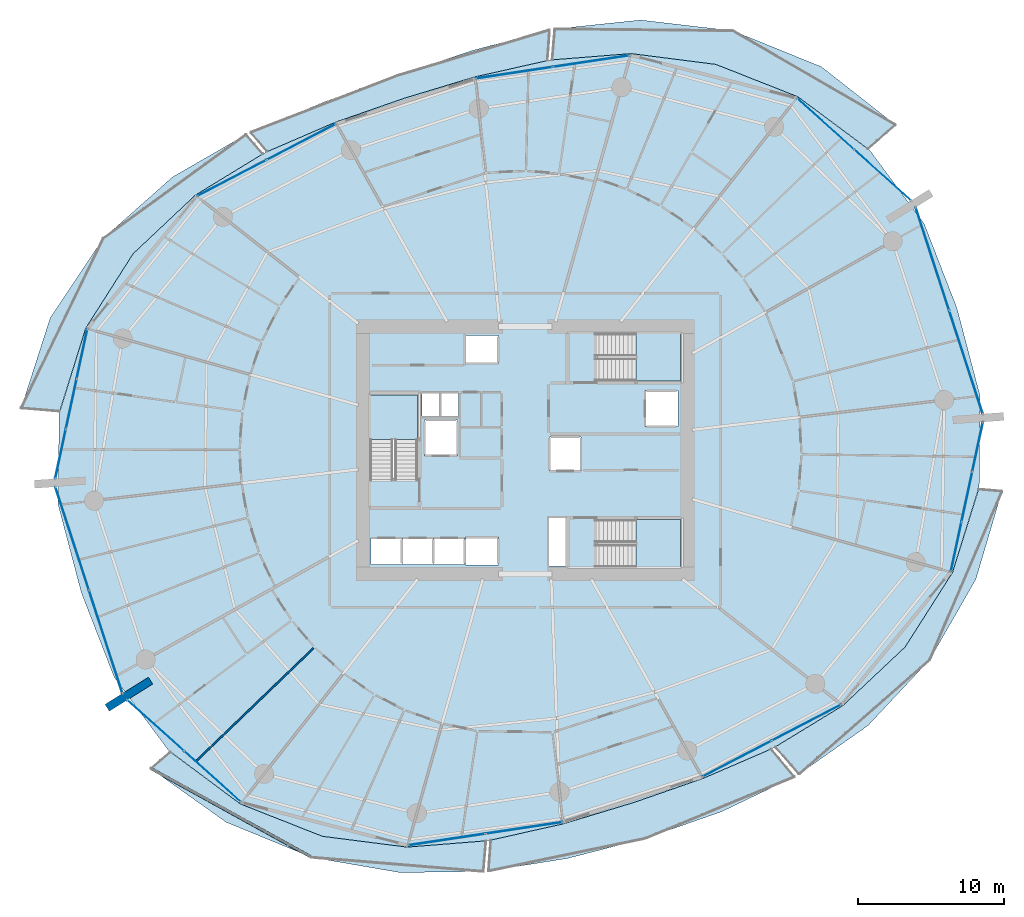
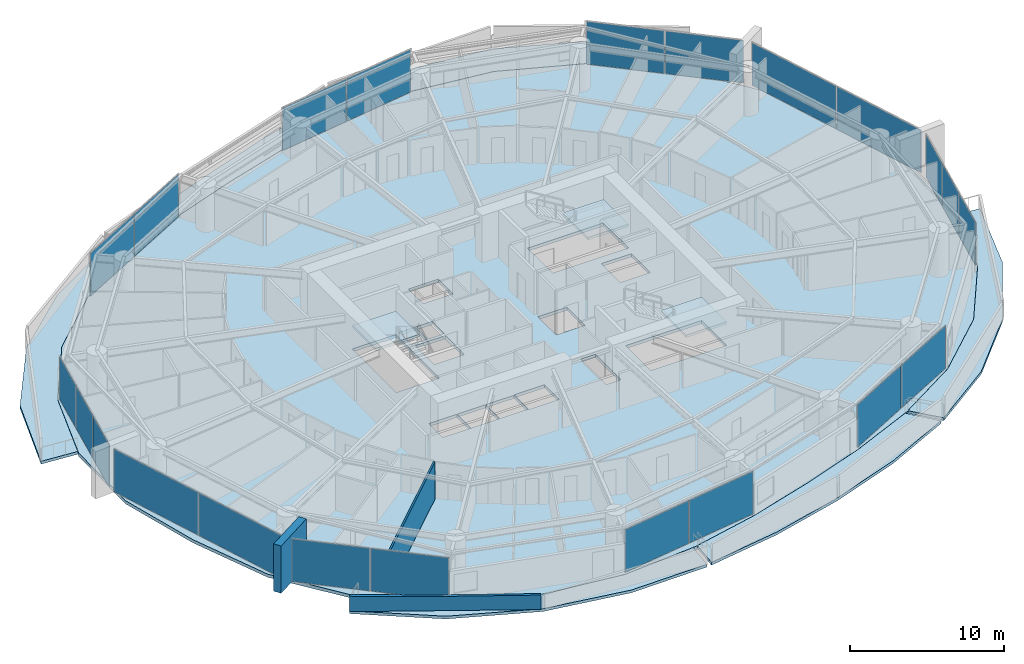
# One storey, part 18 of 31: 22 plates, 10 slabs, 3 walls, 13 elements without a shape of their own.
"""IFC4 building model written with IfcOpenShell, lengths in metres."""

from ifc_helpers import new_model, si_unit, direction, frame, frame_2d, origin, origin_2d, place, context, subcontext, project, spatial, polyline, rectangle, outline, extrude, material, layer, layer_set, type_object, element, aggregate, save


model = new_model("IFC4")

# Units and contexts
model_context = context("Model", 3, precision=1e-05, world=origin(), true_north=direction((0.0, 1.0)))
body_context = subcontext(model_context, "Body", "Model", "MODEL_VIEW")
ifc_project = project(units=[si_unit("LENGTHUNIT", "METRE"), si_unit("AREAUNIT", "SQUARE_METRE"), si_unit("VOLUMEUNIT", "CUBIC_METRE"), si_unit("PLANEANGLEUNIT", "RADIAN"), si_unit("MASSUNIT", "GRAM", prefix="KILO")], contexts=[model_context])

# Site, building, storey
site_placement = place(None, origin())
site = spatial("IfcSite", under=ifc_project, at=site_placement, CompositionType="ELEMENT")
building_placement = place(site_placement, origin())
building = spatial("IfcBuilding", under=site, at=building_placement, Name="Kazma Halo Residences", CompositionType="ELEMENT")
storey_placement = place(building_placement, frame((0.0, 0.0, 41.39990234375)))
storey = spatial("IfcBuildingStorey", under=building, at=storey_placement, Name="L09", CompositionType="ELEMENT", Elevation=41.39990234375)

# Curtain wall, plates
ifc_material_1 = material(Name="Aluminium AW-6063 T6 and Triple-Silver Low-E Glass", Category="aluminium")
ifc_layer_1 = layer(ifc_material_1, 0.159912109375)
ifc_layer_set_1 = layer_set([ifc_layer_1], Name="Aluminium AW-6063 T6 and Triple-Silver Low-E Glass")
curtain_wall_type = type_object("IfcCurtainWallType", Name="CW-SYS-2", PredefinedType="NOTDEFINED", material=ifc_layer_set_1)
curtain_wall_1_placement = place(storey_placement, origin())
curtain_wall_1 = element("IfcCurtainWall", 1, at=curtain_wall_1_placement, inside=storey, type_object=curtain_wall_type, Name="L09 unitised curtain wall B01", PredefinedType="NOTDEFINED")
ifc_material_2 = material(Name="Clear Triple-Silver Low-E Glass IGU", Category="glass")
ifc_layer_2 = layer(ifc_material_2, 0.028076171875)
ifc_layer_set_2 = layer_set([ifc_layer_2], Name="Clear Triple-Silver Low-E Glass IGU")
plate_type = type_object("IfcPlateType", Name="CW-SYS-2-PNL", PredefinedType="CURTAIN_PANEL", material=ifc_layer_set_2)
plate_1_placement = place(storey_placement, frame((72.876953125, 60.841064453125, 0.06005859375), z_axis=(0.0, 0.0, 1.0), x_axis=(-0.744321506993, 0.667821453854, 0.0)))
plate_1 = element("IfcPlate", 2, at=plate_1_placement, type_object=plate_type, Name="CWS-2 panel 1.1", PredefinedType="CURTAIN_PANEL", context=body_context, shape_type="SweptSolid", body=[
    extrude(rectangle(XDim=5.1787109375, YDim=0.028076171875, at=origin_2d()), origin(), (0.0, 0.0, 1.0), 3.3798828125),
])
plate_2_placement = place(storey_placement, frame((68.977783203125, 64.33935546875, 0.06005859375), z_axis=(0.0, 0.0, 1.0), x_axis=(-0.744321506993, 0.667821453854, 0.0)))
plate_2 = element("IfcPlate", 3, at=plate_2_placement, type_object=plate_type, Name="CWS-2 panel 2.1", PredefinedType="CURTAIN_PANEL", context=body_context, shape_type="SweptSolid", body=[
    extrude(rectangle(XDim=5.1787109375, YDim=0.028076171875, at=origin_2d()), origin(), (0.0, 0.0, 1.0), 3.3798828125),
])
aggregate(curtain_wall_1, [plate_1, plate_2])

curtain_wall_2_placement = place(storey_placement, origin())
curtain_wall_2 = element("IfcCurtainWall", 4, at=curtain_wall_2_placement, inside=storey, type_object=curtain_wall_type, Name="L09 unitised curtain wall B03", PredefinedType="NOTDEFINED")
plate_3_placement = place(storey_placement, frame((52.952392578125, 68.64013671875, 0.06005859375), z_axis=(0.0, 0.0, 1.0), x_axis=(-0.988888777994, -0.148657272805, 0.0)))
plate_3 = element("IfcPlate", 5, at=plate_3_placement, type_object=plate_type, Name="CWS-2 panel 1.1", PredefinedType="CURTAIN_PANEL", context=body_context, shape_type="SweptSolid", body=[
    extrude(rectangle(XDim=5.288818359375, YDim=0.028076171875, at=origin_2d()), origin(), (0.0, 0.0, 1.0), 3.3798828125),
])
plate_4_placement = place(storey_placement, frame((47.662841796875, 67.844970703125, 0.06005859375), z_axis=(0.0, 0.0, 1.0), x_axis=(-0.988888777994, -0.148657272805, 0.0)))
plate_4 = element("IfcPlate", 6, at=plate_4_placement, type_object=plate_type, Name="CWS-2 panel 2.1", PredefinedType="CURTAIN_PANEL", context=body_context, shape_type="SweptSolid", body=[
    extrude(rectangle(XDim=5.288818359375, YDim=0.028076171875, at=origin_2d()), origin(), (0.0, 0.0, 1.0), 3.3798828125),
])
aggregate(curtain_wall_2, [plate_3, plate_4])

curtain_wall_3_placement = place(storey_placement, origin())
curtain_wall_3 = element("IfcCurtainWall", 7, at=curtain_wall_3_placement, inside=storey, type_object=curtain_wall_type, Name="L09 unitised curtain wall B05", PredefinedType="NOTDEFINED")
plate_5_placement = place(storey_placement, frame((33.081298828125, 63.107177734375, 0.06005859375), z_axis=(0.0, 0.0, 1.0), x_axis=(-0.887402258584, -0.460995912628, 0.0)))
plate_5 = element("IfcPlate", 8, at=plate_5_placement, type_object=plate_type, Name="CWS-2 panel 1.1", PredefinedType="CURTAIN_PANEL", context=body_context, shape_type="SweptSolid", body=[
    extrude(rectangle(XDim=5.288818359375, YDim=0.028076171875, at=origin_2d()), origin(), (0.0, 0.0, 1.0), 3.3798828125),
])
plate_6_placement = place(storey_placement, frame((28.334716796875, 60.641357421875, 0.06005859375), z_axis=(0.0, 0.0, 1.0), x_axis=(-0.887402258584, -0.460995912628, 0.0)))
plate_6 = element("IfcPlate", 9, at=plate_6_placement, type_object=plate_type, Name="CWS-2 panel 2.1", PredefinedType="CURTAIN_PANEL", context=body_context, shape_type="SweptSolid", body=[
    extrude(rectangle(XDim=5.288818359375, YDim=0.028076171875, at=origin_2d()), origin(), (0.0, 0.0, 1.0), 3.3798828125),
])
aggregate(curtain_wall_3, [plate_5, plate_6])

curtain_wall_4_placement = place(storey_placement, origin())
curtain_wall_4 = element("IfcCurtainWall", 10, at=curtain_wall_4_placement, inside=storey, type_object=curtain_wall_type, Name="L09 unitised curtain wall B07", PredefinedType="NOTDEFINED")
plate_7_placement = place(storey_placement, frame((18.08203125, 48.60107421875, 0.06005859375), z_axis=(0.0, 0.0, 1.0), x_axis=(-0.209637321406, -0.977779215096, 0.0)))
plate_7 = element("IfcPlate", 11, at=plate_7_placement, type_object=plate_type, Name="CWS-2 panel 1.1", PredefinedType="CURTAIN_PANEL", context=body_context, shape_type="SweptSolid", body=[
    extrude(rectangle(XDim=3.42236328125, YDim=0.028076171875, at=origin_2d()), origin(), (0.0, 0.0, 1.0), 3.3798828125),
])
plate_8_placement = place(storey_placement, frame((17.348876953125, 45.181396484375, 0.06005859375), z_axis=(0.0, 0.0, 1.0), x_axis=(-0.209637321406, -0.977779215096, 0.0)))
plate_8 = element("IfcPlate", 12, at=plate_8_placement, type_object=plate_type, Name="CWS-2 panel 2.1", PredefinedType="CURTAIN_PANEL", context=body_context, shape_type="SweptSolid", body=[
    extrude(rectangle(XDim=3.452392578125, YDim=0.028076171875, at=origin_2d()), origin(), (0.0, 0.0, 1.0), 3.3798828125),
])
plate_9_placement = place(storey_placement, frame((16.61572265625, 41.76171875, 0.06005859375), z_axis=(0.0, 0.0, 1.0), x_axis=(-0.209637321406, -0.977779215096, 0.0)))
plate_9 = element("IfcPlate", 13, at=plate_9_placement, type_object=plate_type, Name="CWS-2 panel 3.1", PredefinedType="CURTAIN_PANEL", context=body_context, shape_type="SweptSolid", body=[
    extrude(rectangle(XDim=3.42236328125, YDim=0.028076171875, at=origin_2d()), origin(), (0.0, 0.0, 1.0), 3.3798828125),
])
aggregate(curtain_wall_4, [plate_7, plate_8, plate_9])

curtain_wall_5_placement = place(storey_placement, origin())
curtain_wall_5 = element("IfcCurtainWall", 14, at=curtain_wall_5_placement, inside=storey, type_object=curtain_wall_type, Name="L09 unitised curtain wall B08", PredefinedType="NOTDEFINED")
plate_10_placement = place(storey_placement, frame((17.409912109375, 35.96728515625, 0.06005859375), z_axis=(0.0, 0.0, 1.0), x_axis=(0.309016970539, -0.95105652404, 0.0)))
plate_10 = element("IfcPlate", 15, at=plate_10_placement, type_object=plate_type, Name="CWS-2 panel 1.1", PredefinedType="CURTAIN_PANEL", context=body_context, shape_type="SweptSolid", body=[
    extrude(rectangle(XDim=7.370849609375, YDim=0.028076171875, at=origin_2d()), origin(), (0.0, 0.0, 1.0), 3.3798828125),
])
plate_11_placement = place(storey_placement, frame((19.7060546875, 28.900146484375, 0.06005859375), z_axis=(0.0, 0.0, 1.0), x_axis=(0.309016970539, -0.95105652404, 0.0)))
plate_11 = element("IfcPlate", 16, at=plate_11_placement, type_object=plate_type, Name="CWS-2 panel 2.1", PredefinedType="CURTAIN_PANEL", context=body_context, shape_type="SweptSolid", body=[
    extrude(rectangle(XDim=7.370849609375, YDim=0.028076171875, at=origin_2d()), origin(), (0.0, 0.0, 1.0), 3.3798828125),
])
aggregate(curtain_wall_5, [plate_10, plate_11])

curtain_wall_6_placement = place(storey_placement, origin())
curtain_wall_6 = element("IfcCurtainWall", 17, at=curtain_wall_6_placement, inside=storey, type_object=curtain_wall_type, Name="L09 unitised curtain wall B09", PredefinedType="NOTDEFINED")
plate_12_placement = place(storey_placement, frame((23.123046875, 23.158935546875, 0.06005859375), z_axis=(0.0, 0.0, 1.0), x_axis=(0.744321506993, -0.667821453854, 0.0)))
plate_12 = element("IfcPlate", 18, at=plate_12_placement, type_object=plate_type, Name="CWS-2 panel 1.1", PredefinedType="CURTAIN_PANEL", context=body_context, shape_type="SweptSolid", body=[
    extrude(rectangle(XDim=5.1787109375, YDim=0.028076171875, at=origin_2d()), origin(), (0.0, 0.0, 1.0), 3.3798828125),
])
plate_13_placement = place(storey_placement, frame((27.022216796875, 19.66064453125, 0.06005859375), z_axis=(0.0, 0.0, 1.0), x_axis=(0.744321506993, -0.667821453854, 0.0)))
plate_13 = element("IfcPlate", 19, at=plate_13_placement, type_object=plate_type, Name="CWS-2 panel 2.1", PredefinedType="CURTAIN_PANEL", context=body_context, shape_type="SweptSolid", body=[
    extrude(rectangle(XDim=5.1787109375, YDim=0.028076171875, at=origin_2d()), origin(), (0.0, 0.0, 1.0), 3.3798828125),
])
aggregate(curtain_wall_6, [plate_12, plate_13])

curtain_wall_7_placement = place(storey_placement, origin())
curtain_wall_7 = element("IfcCurtainWall", 20, at=curtain_wall_7_placement, inside=storey, type_object=curtain_wall_type, Name="L09 unitised curtain wall B11", PredefinedType="NOTDEFINED")
plate_14_placement = place(storey_placement, frame((43.047607421875, 15.35986328125, 0.06005859375), z_axis=(0.0, 0.0, 1.0), x_axis=(0.988888777994, 0.148657272805, 0.0)))
plate_14 = element("IfcPlate", 21, at=plate_14_placement, type_object=plate_type, Name="CWS-2 panel 1.1", PredefinedType="CURTAIN_PANEL", context=body_context, shape_type="SweptSolid", body=[
    extrude(rectangle(XDim=5.288818359375, YDim=0.028076171875, at=origin_2d()), origin(), (0.0, 0.0, 1.0), 3.3798828125),
])
plate_15_placement = place(storey_placement, frame((48.337158203125, 16.155029296875, 0.06005859375), z_axis=(0.0, 0.0, 1.0), x_axis=(0.988888777994, 0.148657272805, 0.0)))
plate_15 = element("IfcPlate", 22, at=plate_15_placement, type_object=plate_type, Name="CWS-2 panel 2.1", PredefinedType="CURTAIN_PANEL", context=body_context, shape_type="SweptSolid", body=[
    extrude(rectangle(XDim=5.288818359375, YDim=0.028076171875, at=origin_2d()), origin(), (0.0, 0.0, 1.0), 3.3798828125),
])
aggregate(curtain_wall_7, [plate_14, plate_15])

curtain_wall_8_placement = place(storey_placement, origin())
curtain_wall_8 = element("IfcCurtainWall", 23, at=curtain_wall_8_placement, inside=storey, type_object=curtain_wall_type, Name="L09 unitised curtain wall B13", PredefinedType="NOTDEFINED")
plate_16_placement = place(storey_placement, frame((62.918701171875, 20.892822265625, 0.06005859375), z_axis=(0.0, 0.0, 1.0), x_axis=(0.887402258584, 0.460995912628, 0.0)))
plate_16 = element("IfcPlate", 24, at=plate_16_placement, type_object=plate_type, Name="CWS-2 panel 1.1", PredefinedType="CURTAIN_PANEL", context=body_context, shape_type="SweptSolid", body=[
    extrude(rectangle(XDim=5.288818359375, YDim=0.028076171875, at=origin_2d()), origin(), (0.0, 0.0, 1.0), 3.3798828125),
])
plate_17_placement = place(storey_placement, frame((67.665283203125, 23.358642578125, 0.06005859375), z_axis=(0.0, 0.0, 1.0), x_axis=(0.887402258584, 0.460995912628, 0.0)))
plate_17 = element("IfcPlate", 25, at=plate_17_placement, type_object=plate_type, Name="CWS-2 panel 2.1", PredefinedType="CURTAIN_PANEL", context=body_context, shape_type="SweptSolid", body=[
    extrude(rectangle(XDim=5.288818359375, YDim=0.028076171875, at=origin_2d()), origin(), (0.0, 0.0, 1.0), 3.3798828125),
])
aggregate(curtain_wall_8, [plate_16, plate_17])

curtain_wall_9_placement = place(storey_placement, origin())
curtain_wall_9 = element("IfcCurtainWall", 26, at=curtain_wall_9_placement, inside=storey, type_object=curtain_wall_type, Name="L09 unitised curtain wall B15", PredefinedType="NOTDEFINED")
plate_18_placement = place(storey_placement, frame((77.91796875, 35.39892578125, 0.06005859375), z_axis=(0.0, 0.0, 1.0), x_axis=(0.209637321406, 0.977779215096, 0.0)))
plate_18 = element("IfcPlate", 27, at=plate_18_placement, type_object=plate_type, Name="CWS-2 panel 1.1", PredefinedType="CURTAIN_PANEL", context=body_context, shape_type="SweptSolid", body=[
    extrude(rectangle(XDim=3.42236328125, YDim=0.028076171875, at=origin_2d()), origin(), (0.0, 0.0, 1.0), 3.3798828125),
])
plate_19_placement = place(storey_placement, frame((78.651123046875, 38.818603515625, 0.06005859375), z_axis=(0.0, 0.0, 1.0), x_axis=(0.209637321406, 0.977779215096, 0.0)))
plate_19 = element("IfcPlate", 28, at=plate_19_placement, type_object=plate_type, Name="CWS-2 panel 2.1", PredefinedType="CURTAIN_PANEL", context=body_context, shape_type="SweptSolid", body=[
    extrude(rectangle(XDim=3.452392578125, YDim=0.028076171875, at=origin_2d()), origin(), (0.0, 0.0, 1.0), 3.3798828125),
])
plate_20_placement = place(storey_placement, frame((79.38427734375, 42.23828125, 0.06005859375), z_axis=(0.0, 0.0, 1.0), x_axis=(0.209637321406, 0.977779215096, 0.0)))
plate_20 = element("IfcPlate", 29, at=plate_20_placement, type_object=plate_type, Name="CWS-2 panel 3.1", PredefinedType="CURTAIN_PANEL", context=body_context, shape_type="SweptSolid", body=[
    extrude(rectangle(XDim=3.42236328125, YDim=0.028076171875, at=origin_2d()), origin(), (0.0, 0.0, 1.0), 3.3798828125),
])
aggregate(curtain_wall_9, [plate_18, plate_19, plate_20])

curtain_wall_10_placement = place(storey_placement, origin())
curtain_wall_10 = element("IfcCurtainWall", 30, at=curtain_wall_10_placement, inside=storey, type_object=curtain_wall_type, Name="L09 unitised curtain wall B16", PredefinedType="NOTDEFINED")
plate_21_placement = place(storey_placement, frame((78.590087890625, 48.03271484375, 0.06005859375), z_axis=(0.0, 0.0, 1.0), x_axis=(-0.309016970539, 0.95105652404, 0.0)))
plate_21 = element("IfcPlate", 31, at=plate_21_placement, type_object=plate_type, Name="CWS-2 panel 1.1", PredefinedType="CURTAIN_PANEL", context=body_context, shape_type="SweptSolid", body=[
    extrude(rectangle(XDim=7.370849609375, YDim=0.028076171875, at=origin_2d()), origin(), (0.0, 0.0, 1.0), 3.3798828125),
])
plate_22_placement = place(storey_placement, frame((76.2939453125, 55.099853515625, 0.06005859375), z_axis=(0.0, 0.0, 1.0), x_axis=(-0.309016970539, 0.95105652404, 0.0)))
plate_22 = element("IfcPlate", 32, at=plate_22_placement, type_object=plate_type, Name="CWS-2 panel 2.1", PredefinedType="CURTAIN_PANEL", context=body_context, shape_type="SweptSolid", body=[
    extrude(rectangle(XDim=7.370849609375, YDim=0.028076171875, at=origin_2d()), origin(), (0.0, 0.0, 1.0), 3.3798828125),
])
aggregate(curtain_wall_10, [plate_21, plate_22])

# Slabs
ifc_material_3 = material(Name="White Concrete C50/60", Category="concrete")
ifc_layer_3 = layer(ifc_material_3, 0.219970703125)
ifc_layer_set_3 = layer_set([ifc_layer_3], Name="White Concrete C50/60")
slab_type_1 = type_object("IfcSlabType", Name="SLB-BAL-WAVE-210", PredefinedType="FLOOR", material=ifc_layer_set_3)
slab_1_placement = place(storey_placement, frame((0.0, 0.0, -0.219970703125)))
element("IfcSlab", 33, at=slab_1_placement, inside=storey, type_object=slab_type_1, Name="L09 NE cantilevered wave balcony slab", PredefinedType="FLOOR", context=body_context, shape_type="SweptSolid", body=[
    extrude(outline(polyline([(71.875732421875, 62.645263671875), (67.081298828125, 66.20458984375), (61.461669921875, 68.420166015625), (55.659912109375, 69.15966796875), (50.26806640625, 68.729736328125), (50.447265625, 70.84228515625), (56.3076171875, 71.456787109375), (62.63232421875, 70.717529296875), (68.69580078125, 68.252685546875), (73.763916015625, 64.278076171875), (71.875732421875, 62.645263671875)])), origin(), (0.0, 0.0, 1.0), 0.219970703125),
])
slab_2_placement = place(storey_placement, frame((0.0, 0.0, -0.219970703125)))
element("IfcSlab", 34, at=slab_2_placement, inside=storey, type_object=slab_type_1, Name="L09 NNW cantilevered wave balcony slab", PredefinedType="FLOOR", context=body_context, shape_type="SweptSolid", body=[
    extrude(outline(polyline([(49.935791015625, 68.679931640625), (44.974365234375, 67.564208984375), (40.165771484375, 66.111083984375), (35.421630859375, 64.460205078125), (30.751708984375, 62.44677734375), (29.635498046875, 63.77001953125), (34.645751953125, 65.845703125), (39.666015625, 67.649658203125), (44.76171875, 69.360595703125), (50.08740234375, 70.7705078125), (49.935791015625, 68.679931640625)])), origin(), (0.0, 0.0, 1.0), 0.219970703125),
])
slab_3_placement = place(storey_placement, frame((0.0, 0.0, -0.219970703125)))
element("IfcSlab", 35, at=slab_3_placement, inside=storey, type_object=slab_type_1, Name="L09 NW cantilevered wave balcony slab", PredefinedType="FLOOR", context=body_context, shape_type="SweptSolid", body=[
    extrude(outline(polyline([(30.453857421875, 62.29150390625), (25.839111328125, 59.47021484375), (21.579833984375, 55.461669921875), (18.3359375, 50.3662109375), (16.54931640625, 44.668701171875), (13.9169921875, 44.89208984375), (15.900390625, 51.052978515625), (19.533203125, 56.50439453125), (24.271240234375, 60.706298828125), (29.309326171875, 63.615234375), (30.453857421875, 62.29150390625)])), origin(), (0.0, 0.0, 1.0), 0.219970703125),
])
slab_4_placement = place(storey_placement, frame((0.0, 0.0, -0.219970703125)))
element("IfcSlab", 36, at=slab_4_placement, inside=storey, type_object=slab_type_1, Name="L09 SW cantilevered wave balcony slab", PredefinedType="FLOOR", context=body_context, shape_type="SweptSolid", body=[
    extrude(outline(polyline([(24.124267578125, 21.354736328125), (28.918701171875, 17.79541015625), (34.538330078125, 15.579833984375), (40.340087890625, 14.84033203125), (45.73193359375, 15.270263671875), (45.55419921875, 13.1767578125), (39.84912109375, 13.09912109375), (33.803955078125, 14.138671875), (27.935546875, 16.54833984375), (22.802490234375, 20.2119140625), (24.124267578125, 21.354736328125)])), origin(), (0.0, 0.0, 1.0), 0.219970703125),
])
slab_5_placement = place(storey_placement, frame((0.0, 0.0, -0.219970703125)))
element("IfcSlab", 37, at=slab_5_placement, inside=storey, type_object=slab_type_1, Name="L09 SSE cantilevered wave balcony slab", PredefinedType="FLOOR", context=body_context, shape_type="SweptSolid", body=[
    extrude(outline(polyline([(46.064208984375, 15.320068359375), (51.025634765625, 16.435791015625), (55.834228515625, 17.888916015625), (60.578369140625, 19.539794921875), (65.248291015625, 21.55322265625), (66.847412109375, 19.65771484375), (61.852783203125, 17.26416015625), (56.631103515625, 15.4365234375), (51.306396484375, 14.0654296875), (45.9111328125, 13.21044921875), (46.064208984375, 15.320068359375)])), origin(), (0.0, 0.0, 1.0), 0.219970703125),
])
slab_6_placement = place(storey_placement, frame((0.0, 0.0, -0.219970703125)))
element("IfcSlab", 38, at=slab_6_placement, inside=storey, type_object=slab_type_1, Name="L09 SE cantilevered wave balcony slab", PredefinedType="FLOOR", context=body_context, shape_type="SweptSolid", body=[
    extrude(outline(polyline([(65.546142578125, 21.70849609375), (70.160888671875, 24.52978515625), (74.420166015625, 28.538330078125), (77.6640625, 33.6337890625), (79.45068359375, 39.331298828125), (81.046875, 39.19580078125), (79.26708984375, 33.181640625), (76.1123046875, 27.676025390625), (71.88818359375, 23.168212890625), (67.162841796875, 19.8388671875), (65.546142578125, 21.70849609375)])), origin(), (0.0, 0.0, 1.0), 0.219970703125),
])
ifc_material_4 = material(Name="Concrete C50/60", Category="concrete")
ifc_layer_4 = layer(ifc_material_4, 0.25)
ifc_layer_set_4 = layer_set([ifc_layer_4], Name="Concrete C50/60")
slab_type_2 = type_object("IfcSlabType", Name="SLB-RES-250", PredefinedType="FLOOR", material=ifc_layer_set_4)
slab_7_placement = place(storey_placement, frame((0.0, 0.0, -0.25)))
element("IfcSlab", 39, at=slab_7_placement, inside=storey, type_object=slab_type_2, Name="L09 structural floor slab", PredefinedType="FLOOR", context=body_context, shape_type="SweptSolid", body=[
    extrude(outline(polyline([(77.9677734375, 51.737060546875), (75.719970703125, 57.52392578125), (72.02099609375, 62.51611328125), (67.080078125, 66.202880859375), (61.460693359375, 68.418212890625), (55.6591796875, 69.15771484375), (50.102294921875, 68.713134765625), (44.974609375, 67.562255859375), (40.16650390625, 66.109375), (35.422607421875, 64.45849609375), (30.597412109375, 62.375732421875), (25.8408203125, 59.468994140625), (21.581787109375, 55.460693359375), (18.337890625, 50.365478515625), (16.507568359375, 44.478515625), (16.449462890625, 38.265625), (18.0322265625, 32.262939453125), (20.280029296875, 26.47607421875), (23.97900390625, 21.48388671875), (28.919921875, 17.797119140625), (34.539306640625, 15.581787109375), (40.3408203125, 14.84228515625), (45.897705078125, 15.286865234375), (51.025390625, 16.437744140625), (55.83349609375, 17.890625), (60.577392578125, 19.54150390625), (65.402587890625, 21.624267578125), (70.1591796875, 24.531005859375), (74.418212890625, 28.539306640625), (77.662109375, 33.634521484375), (79.492431640625, 39.521484375), (79.550537109375, 45.734375), (77.9677734375, 51.737060546875)]), holes=[polyline([(37.800048828125, 40.110107421875), (41.050048828125, 40.110107421875), (41.050048828125, 45.800048828125), (37.800048828125, 45.800048828125), (37.800048828125, 40.110107421875)]), polyline([(53.360107421875, 46.75), (59.050048828125, 46.75), (59.050048828125, 50.0), (53.360107421875, 50.0), (53.360107421875, 46.75)]), polyline([(53.360107421875, 34.0), (59.050048828125, 34.0), (59.050048828125, 37.25), (53.360107421875, 37.25), (53.360107421875, 34.0)]), polyline([(41.52001953125, 41.6201171875), (43.780029296875, 41.6201171875), (43.780029296875, 44.080078125), (41.52001953125, 44.080078125), (41.52001953125, 41.6201171875)]), polyline([(56.6201171875, 43.6201171875), (58.8798828125, 43.6201171875), (58.8798828125, 46.080078125), (56.6201171875, 46.080078125), (56.6201171875, 43.6201171875)]), polyline([(37.864990234375, 34.195068359375), (39.97509765625, 34.195068359375), (39.97509765625, 36.0048828125), (37.864990234375, 36.0048828125), (37.864990234375, 34.195068359375)]), polyline([(40.014892578125, 34.195068359375), (42.125, 34.195068359375), (42.125, 36.0048828125), (40.014892578125, 36.0048828125), (40.014892578125, 34.195068359375)]), polyline([(42.1650390625, 34.195068359375), (44.27490234375, 34.195068359375), (44.27490234375, 36.0048828125), (42.1650390625, 36.0048828125), (42.1650390625, 34.195068359375)]), polyline([(44.320068359375, 47.945068359375), (46.580078125, 47.945068359375), (46.580078125, 49.85498046875), (44.320068359375, 49.85498046875), (44.320068359375, 47.945068359375)]), polyline([(44.320068359375, 34.14501953125), (46.580078125, 34.14501953125), (46.580078125, 36.054931640625), (44.320068359375, 36.054931640625), (44.320068359375, 34.14501953125)]), polyline([(50.070068359375, 40.570068359375), (52.22998046875, 40.570068359375), (52.22998046875, 42.929931640625), (50.070068359375, 42.929931640625), (50.070068359375, 40.570068359375)]), polyline([(41.360107421875, 44.340087890625), (42.5400390625, 44.340087890625), (42.5400390625, 45.89990234375), (41.360107421875, 45.89990234375), (41.360107421875, 44.340087890625)]), polyline([(42.659912109375, 44.340087890625), (43.840087890625, 44.340087890625), (43.840087890625, 45.89990234375), (42.659912109375, 45.89990234375), (42.659912109375, 44.340087890625)]), polyline([(50.06005859375, 34.080078125), (51.159912109375, 34.080078125), (51.159912109375, 37.3798828125), (50.06005859375, 37.3798828125), (50.06005859375, 34.080078125)])]), origin(), (0.0, 0.0, 1.0), 0.25),
])

# Stair, slab
stair_type = type_object("IfcStairType", Name="STR-RES1", PredefinedType="HALF_TURN_STAIR", material=ifc_material_4)
stair_1_placement = place(storey_placement, origin())
stair_1 = element("IfcStair", 40, at=stair_1_placement, inside=storey, type_object=stair_type, Name="L09 Core exit stair ST-01", PredefinedType="HALF_TURN_STAIR")
ifc_layer_5 = layer(ifc_material_4, 0.199951171875)
ifc_layer_set_5 = layer_set([ifc_layer_5], Name="Concrete C50/60")
slab_type_3 = type_object("IfcSlabType", Name="SLB-STAIR-LND-200", PredefinedType="LANDING", material=ifc_layer_set_5)
slab_8_placement = place(storey_placement, frame((0.0, 0.0, 1.675048828125)))
slab_8 = element("IfcSlab", 41, at=slab_8_placement, type_object=slab_type_3, Name="ST-01 landing 1", PredefinedType="LANDING", context=body_context, shape_type="SweptSolid", body=[
    extrude(outline(polyline([(41.050048828125, 42.75), (41.050048828125, 45.800048828125), (37.800048828125, 45.800048828125), (37.800048828125, 42.75), (41.050048828125, 42.75)])), origin(), (0.0, 0.0, 1.0), 0.199951171875),
])
aggregate(stair_1, [slab_8])

stair_2_placement = place(storey_placement, origin())
stair_2 = element("IfcStair", 42, at=stair_2_placement, inside=storey, type_object=stair_type, Name="L09 Core exit stair ST-02", PredefinedType="HALF_TURN_STAIR")
slab_9_placement = place(storey_placement, frame((0.0, 0.0, 1.675048828125)))
slab_9 = element("IfcSlab", 43, at=slab_9_placement, type_object=slab_type_3, Name="ST-02 landing 1", PredefinedType="LANDING", context=body_context, shape_type="SweptSolid", body=[
    extrude(outline(polyline([(56.0, 46.75), (59.050048828125, 46.75), (59.050048828125, 50.0), (56.0, 50.0), (56.0, 46.75)])), origin(), (0.0, 0.0, 1.0), 0.199951171875),
])
aggregate(stair_2, [slab_9])

stair_3_placement = place(storey_placement, origin())
stair_3 = element("IfcStair", 44, at=stair_3_placement, inside=storey, type_object=stair_type, Name="L09 Core exit stair ST-03", PredefinedType="HALF_TURN_STAIR")
slab_10_placement = place(storey_placement, frame((0.0, 0.0, 1.675048828125)))
slab_10 = element("IfcSlab", 45, at=slab_10_placement, type_object=slab_type_3, Name="ST-03 landing 1", PredefinedType="LANDING", context=body_context, shape_type="SweptSolid", body=[
    extrude(outline(polyline([(56.0, 34.0), (59.050048828125, 34.0), (59.050048828125, 37.25), (56.0, 37.25), (56.0, 34.0)])), origin(), (0.0, 0.0, 1.0), 0.199951171875),
])
aggregate(stair_3, [slab_10])

# Walls
ifc_material_5 = material(Name="White Concrete C50/60 Balustrade", Category="concrete")
ifc_layer_6 = layer(ifc_material_5, 0.179931640625)
ifc_layer_set_6 = layer_set([ifc_layer_6], Name="White Concrete C50/60 Balustrade")
wall_type_1 = type_object("IfcWallType", Name="WL-BAL-WAVE-180", PredefinedType="PARAPET", material=ifc_layer_set_6)
wall_1_placement = place(storey_placement, frame((22.802490234375, 20.2119140625, 0.0), z_axis=(0.0, 0.0, 1.0), x_axis=(0.875453203816, -0.483302894599, 0.0)))
element("IfcWall", 46, at=wall_1_placement, inside=storey, type_object=wall_type_1, Name="L09 white wave balustrade wall SW.1", PredefinedType="PARAPET", context=body_context, shape_type="SweptSolid", body=[
    extrude(outline(polyline([(0.0, 0.0), (12.4462890625, 0.0), (12.4462890625, 1.148193359375), (6.22314453125, 1.127197265625), (0.0, 1.22412109375), (0.0, 0.0)])), frame((0.0, 0.08984375, 0.0), z_axis=(0.0, -1.0, 0.0), x_axis=(1.0, 0.0, 0.0)), (0.0, 0.0, 1.0), 0.179931640625),
])
ifc_material_6 = material(Name="Pale Concrete C60/75", Category="concrete")
ifc_layer_7 = layer(ifc_material_6, 0.550048828125)
ifc_layer_set_7 = layer_set([ifc_layer_7], Name="Pale Concrete C60/75")
wall_type_2 = type_object("IfcWallType", Name="WL-BLADE-550", PredefinedType="SOLIDWALL", material=ifc_layer_set_7)
wall_2_placement = place(storey_placement, frame((22.770263671875, 26.234619140625, 0.0), z_axis=(0.0, 0.0, 1.0), x_axis=(-0.848053161125, -0.529911158502, 0.0)))
element("IfcWall", 47, at=wall_2_placement, inside=storey, type_object=wall_type_2, Name="L09 pale concrete structural blade fin wall BW-03", PredefinedType="SOLIDWALL", context=body_context, shape_type="SweptSolid", body=[
    extrude(rectangle(XDim=3.5, YDim=0.550048828125, at=frame_2d((1.75, 0.0))), origin(), (0.0, 0.0, 1.0), 3.75),
])
ifc_material_7 = material(Name="Gypsum Plasterboard Partition")
ifc_layer_8 = layer(ifc_material_7, 0.125)
ifc_layer_set_8 = layer_set([ifc_layer_8], Name="Gypsum Plasterboard Partition")
wall_type_3 = type_object("IfcWallType", Name="WL-PART-125", PredefinedType="PARTITIONING", material=ifc_layer_set_8)
wall_3_placement = place(storey_placement, frame((33.9306640625, 28.46337890625, 0.0), z_axis=(0.0, 0.0, 1.0), x_axis=(-0.720612963669, -0.693337548812, 0.0)))
element("IfcWall", 48, at=wall_3_placement, inside=storey, type_object=wall_type_3, Name="L09 Apartment 2 suite divider 8", PredefinedType="PARTITIONING", context=body_context, shape_type="SweptSolid", body=[
    extrude(rectangle(XDim=11.170654296875, YDim=0.125, at=frame_2d((5.58544921875, 0.0))), origin(), (0.0, 0.0, 1.0), 2.940185546875),
])

save(model, "model.ifc")
